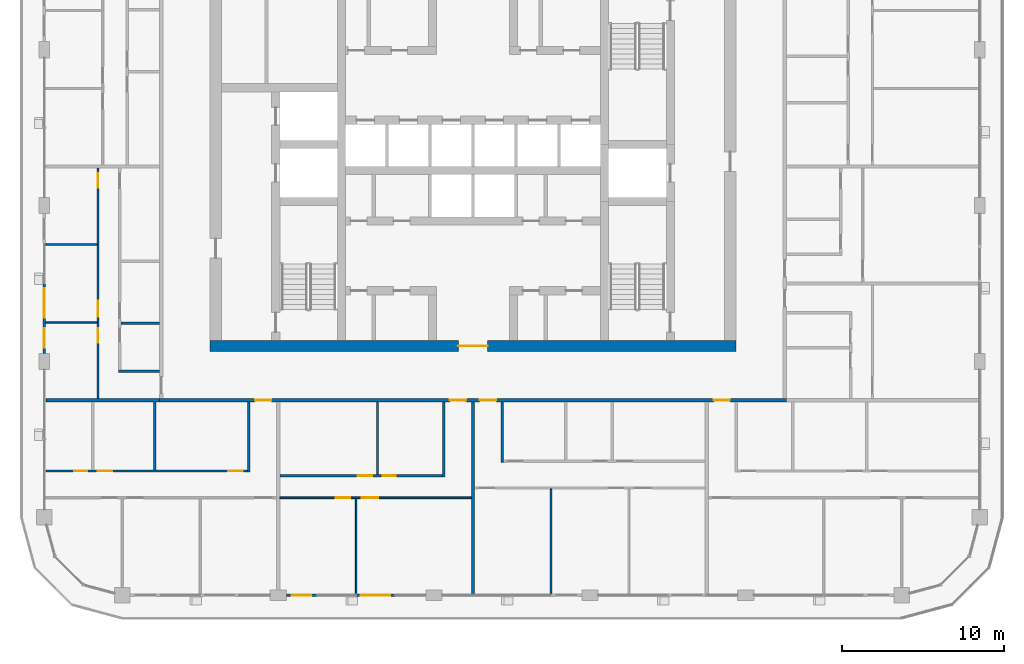
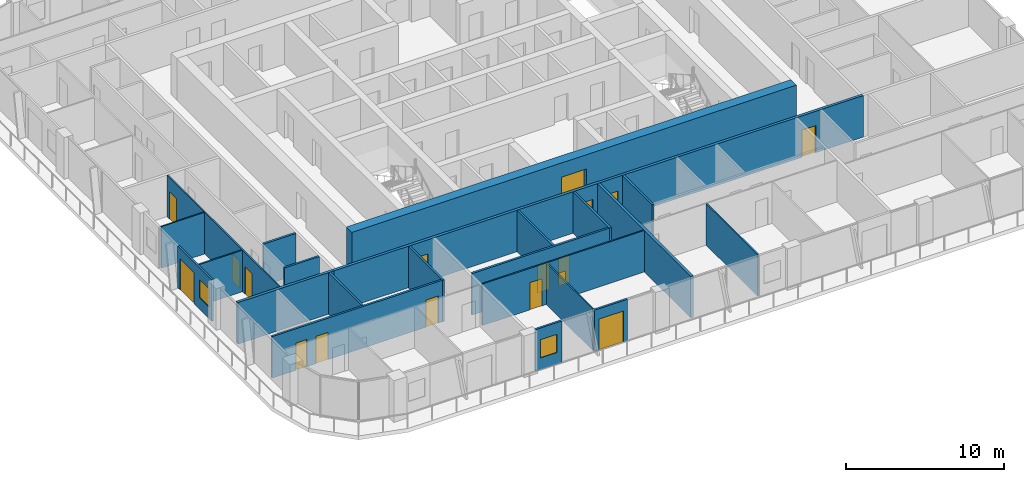
# One storey, part 9 of 22: 22 walls, 17 doors, 2 windows, 19 openings.
"""IFC4 building model written with IfcOpenShell, lengths in metres."""

from ifc_helpers import new_model, si_unit, direction, frame, frame_2d, origin, place, context, subcontext, project, spatial, rectangle, extrude, material, layer, layer_set, type_object, element, fill, save


model = new_model("IFC4")

# Units and contexts
model_context = context("Model", 3, precision=1e-05, world=origin(), true_north=direction((0.0, 1.0)))
body_context = subcontext(model_context, "Body", "Model", "MODEL_VIEW")
ifc_project = project(units=[si_unit("LENGTHUNIT", "METRE"), si_unit("AREAUNIT", "SQUARE_METRE"), si_unit("VOLUMEUNIT", "CUBIC_METRE"), si_unit("PLANEANGLEUNIT", "RADIAN"), si_unit("MASSUNIT", "GRAM", prefix="KILO")], contexts=[model_context])

# Site, building, storey
site_placement = place(None, origin())
site = spatial("IfcSite", under=ifc_project, at=site_placement, CompositionType="ELEMENT")
building_placement = place(site_placement, origin())
building = spatial("IfcBuilding", under=site, at=building_placement, Name="Madar Terraces", CompositionType="ELEMENT")
storey_placement = place(building_placement, frame((0.0, 0.0, 189.39990234375)))
storey = spatial("IfcBuildingStorey", under=building, at=storey_placement, Name="L49", CompositionType="ELEMENT", Elevation=189.39990234375)

# Wall, opening, door
ifc_material_1 = material(Name="Concrete C60/75", Category="concrete")
ifc_layer_1 = layer(ifc_material_1, 0.699951171875)
ifc_layer_set_1 = layer_set([ifc_layer_1], Name="Concrete C60/75 (CRW4 RC wall 700)")
wall_type_1 = type_object("IfcWallType", Name="CRW4 RC wall 700", PredefinedType="SHEAR", material=ifc_layer_set_1)
wall_1_placement = place(storey_placement, frame((15.0, 15.35009765625, 0.0), z_axis=(0.0, 0.0, 1.0), x_axis=(1.0, 0.0, 0.0)))
wall_1 = element("IfcWall", 1, at=wall_1_placement, inside=storey, type_object=wall_type_1, Name="CORE OUTER WALL", PredefinedType="SHEAR", context=body_context, shape_type="SweptSolid", body=[
    extrude(rectangle(XDim=32.39990234375, YDim=0.699951171875, at=frame_2d((16.199951171875, 0.0))), origin(), (0.0, 0.0, 1.0), 3.2001953125),
])
opening_1_placement = place(wall_1_placement, frame((15.300048828125, 0.0, 0.0)))
opening_1 = element("IfcOpeningElement", 2, at=opening_1_placement, cuts=wall_1, Name="Opening KD1", PredefinedType="OPENING", context=body_context, shape_type="SweptSolid", body=[
    extrude(rectangle(XDim=1.800048828125, YDim=2.10009765625, at=frame_2d((0.89990234375, 1.050048828125))), frame((0.0, 0.35986328125, 0.0), z_axis=(0.0, -1.0, 0.0), x_axis=(1.0, 0.0, 0.0)), (0.0, 0.0, 1.0), 0.719970703125),
])
ifc_material_2 = material(Name="Steel door leaf", Category="steel")
door_type_1 = type_object("IfcDoorType", Name="Lobby door pair 1800 x 2100", OperationType="DOUBLE_DOOR_SINGLE_SWING", PredefinedType="DOOR", material=ifc_material_2)
door_1_placement = place(opening_1_placement, frame((1.800048828125, 0.0, 0.0), z_axis=(0.0, 0.0, 1.0), x_axis=(-1.0, 0.0, 0.0)))
door_1 = element("IfcDoor", 3, at=door_1_placement, inside=storey, type_object=door_type_1, Name="LIFT LOBBY DOOR", OperationType="DOUBLE_DOOR_SINGLE_SWING", OverallHeight=2.10009765625, OverallWidth=1.800048828125, PredefinedType="DOOR", context=body_context, shape_type="SweptSolid", body=[
    extrude(rectangle(XDim=1.800048828125, YDim=2.10009765625, at=frame_2d((0.89990234375, 1.050048828125))), frame((0.0, 0.02490234375, 0.0), z_axis=(0.0, -1.0, 0.0), x_axis=(1.0, 0.0, 0.0)), (0.0, 0.0, 1.0), 0.050048828125),
])
fill(opening_1, door_1)

# Wall, opening, window
ifc_material_3 = material(Name="Aluminium composite panel, black, over insulated backing", Category="aluminium")
ifc_layer_2 = layer(ifc_material_3, 0.14990234375)
ifc_layer_set_2 = layer_set([ifc_layer_2], Name="Facade bay panel 150")
wall_type_2 = type_object("IfcWallType", Name="Facade bay panel 150", PredefinedType="SOLIDWALL", material=ifc_layer_set_2)
wall_2_placement = place(storey_placement, frame((19.699951171875, 0.0, 0.0), z_axis=(0.0, 0.0, 1.0), x_axis=(1.0, 0.0, 0.0)))
wall_2 = element("IfcWall", 4, at=wall_2_placement, inside=storey, type_object=wall_type_2, Name="Facade bay panel", PredefinedType="SOLIDWALL", context=body_context, shape_type="SweptSolid", body=[
    extrude(rectangle(XDim=1.900146484375, YDim=0.14990234375, at=frame_2d((0.9501953125, 0.0))), origin(), (0.0, 0.0, 1.0), 3.2001953125),
])
opening_2_placement = place(wall_2_placement, frame((0.35009765625, 0.0, 0.89990234375)))
opening_2 = element("IfcOpeningElement", 5, at=opening_2_placement, cuts=wall_2, Name="Opening W1", PredefinedType="OPENING", context=body_context, shape_type="SweptSolid", body=[
    extrude(rectangle(XDim=1.199951171875, YDim=1.39990234375, at=frame_2d((0.60009765625, 0.699951171875))), frame((0.0, 0.0849609375, 0.0), z_axis=(0.0, -1.0, 0.0), x_axis=(1.0, 0.0, 0.0)), (0.0, 0.0, 1.0), 0.169921875),
])
ifc_material_4 = material(Name="Glass, clear, with black aluminium frame", Category="aluminium")
window_type = type_object("IfcWindowType", Name="Vent window 1200 x 1400", PartitioningType="SINGLE_PANEL", PredefinedType="WINDOW", material=ifc_material_4)
window_1_placement = place(opening_2_placement, origin())
window_1 = element("IfcWindow", 6, at=window_1_placement, inside=storey, type_object=window_type, Name="Operable vent window", OverallHeight=1.39990234375, OverallWidth=1.199951171875, PartitioningType="SINGLE_PANEL", PredefinedType="WINDOW", context=body_context, shape_type="SweptSolid", body=[
    extrude(rectangle(XDim=1.199951171875, YDim=1.39990234375, at=frame_2d((0.60009765625, 0.699951171875))), frame((0.0, 0.030029296875, 0.0), z_axis=(0.0, -1.0, 0.0), x_axis=(1.0, 0.0, 0.0)), (0.0, 0.0, 1.0), 0.06005859375),
])
fill(opening_2, window_1)

# Wall, opening, door
wall_3_placement = place(storey_placement, frame((24.0, 0.0, 0.0), z_axis=(0.0, 0.0, 1.0), x_axis=(1.0, 0.0, 0.0)))
wall_3 = element("IfcWall", 7, at=wall_3_placement, inside=storey, type_object=wall_type_2, Name="Facade bay panel", PredefinedType="SOLIDWALL", context=body_context, shape_type="SweptSolid", body=[
    extrude(rectangle(XDim=2.39990234375, YDim=0.14990234375, at=frame_2d((1.199951171875, 0.0))), origin(), (0.0, 0.0, 1.0), 3.2001953125),
])
opening_3_placement = place(wall_3_placement, frame((0.300048828125, 0.0, 0.0)))
opening_3 = element("IfcOpeningElement", 8, at=opening_3_placement, cuts=wall_3, Name="Opening ED1", PredefinedType="OPENING", context=body_context, shape_type="SweptSolid", body=[
    extrude(rectangle(XDim=1.800048828125, YDim=2.39990234375, at=frame_2d((0.89990234375, 1.199951171875))), frame((0.0, 0.0849609375, 0.0), z_axis=(0.0, -1.0, 0.0), x_axis=(1.0, 0.0, 0.0)), (0.0, 0.0, 1.0), 0.169921875),
])
ifc_material_5 = material(Name="Glass, clear, with black aluminium frame", Category="aluminium")
door_type_2 = type_object("IfcDoorType", Name="Balcony and terrace sliding door 1800 x 2400", OperationType="SLIDING_TO_LEFT", PredefinedType="DOOR", material=ifc_material_5)
door_2_placement = place(opening_3_placement, origin())
door_2 = element("IfcDoor", 9, at=door_2_placement, inside=storey, type_object=door_type_2, Name="Balcony door", OperationType="SLIDING_TO_RIGHT", OverallHeight=2.39990234375, OverallWidth=1.800048828125, PredefinedType="DOOR", context=body_context, shape_type="SweptSolid", body=[
    extrude(rectangle(XDim=1.800048828125, YDim=2.39990234375, at=frame_2d((0.89990234375, 1.199951171875))), frame((0.0, 0.02490234375, 0.0), z_axis=(0.0, -1.0, 0.0), x_axis=(1.0, 0.0, 0.0)), (0.0, 0.0, 1.0), 0.050048828125),
])
fill(opening_3, door_2)

# Wall, openings, door, window
wall_4_placement = place(storey_placement, frame((4.800048828125, 19.199951171875, 0.0), z_axis=(0.0, 0.0, 1.0), x_axis=(0.0, -1.0, 0.0)))
wall_4 = element("IfcWall", 10, at=wall_4_placement, inside=storey, type_object=wall_type_2, Name="Facade bay panel", PredefinedType="SOLIDWALL", context=body_context, shape_type="SweptSolid", body=[
    extrude(rectangle(XDim=4.300048828125, YDim=0.14990234375, at=frame_2d((2.14990234375, 0.0))), origin(), (0.0, 0.0, 1.0), 3.2001953125),
])
opening_4_placement = place(wall_4_placement, frame((0.300048828125, 0.0, 0.0)))
opening_4 = element("IfcOpeningElement", 11, at=opening_4_placement, cuts=wall_4, Name="Opening ED1", PredefinedType="OPENING", context=body_context, shape_type="SweptSolid", body=[
    extrude(rectangle(XDim=1.800048828125, YDim=2.39990234375, at=frame_2d((0.89990234375, 1.199951171875))), frame((0.0, 0.0849609375, 0.0), z_axis=(0.0, -1.0, 0.0), x_axis=(1.0, 0.0, 0.0)), (0.0, 0.0, 1.0), 0.169921875),
])
opening_5_placement = place(wall_4_placement, frame((2.75, 0.0, 0.89990234375)))
opening_5 = element("IfcOpeningElement", 12, at=opening_5_placement, cuts=wall_4, Name="Opening W1", PredefinedType="OPENING", context=body_context, shape_type="SweptSolid", body=[
    extrude(rectangle(XDim=1.199951171875, YDim=1.39990234375, at=frame_2d((0.60009765625, 0.699951171875))), frame((0.0, 0.0849609375, 0.0), z_axis=(0.0, -1.0, 0.0), x_axis=(1.0, 0.0, 0.0)), (0.0, 0.0, 1.0), 0.169921875),
])
door_3_placement = place(opening_4_placement, origin())
door_3 = element("IfcDoor", 13, at=door_3_placement, inside=storey, type_object=door_type_2, Name="Balcony door", OperationType="SLIDING_TO_LEFT", OverallHeight=2.39990234375, OverallWidth=1.800048828125, PredefinedType="DOOR", context=body_context, shape_type="SweptSolid", body=[
    extrude(rectangle(XDim=1.800048828125, YDim=2.39990234375, at=frame_2d((0.89990234375, 1.199951171875))), frame((0.0, 0.02490234375, 0.0), z_axis=(0.0, -1.0, 0.0), x_axis=(1.0, 0.0, 0.0)), (0.0, 0.0, 1.0), 0.050048828125),
])
fill(opening_4, door_3)
window_2_placement = place(opening_5_placement, origin())
window_2 = element("IfcWindow", 14, at=window_2_placement, inside=storey, type_object=window_type, Name="Operable vent window", OverallHeight=1.39990234375, OverallWidth=1.199951171875, PartitioningType="SINGLE_PANEL", PredefinedType="WINDOW", context=body_context, shape_type="SweptSolid", body=[
    extrude(rectangle(XDim=1.199951171875, YDim=1.39990234375, at=frame_2d((0.60009765625, 0.699951171875))), frame((0.0, 0.030029296875, 0.0), z_axis=(0.0, -1.0, 0.0), x_axis=(1.0, 0.0, 0.0)), (0.0, 0.0, 1.0), 0.06005859375),
])
fill(opening_5, window_2)

# Wall
ifc_material_6 = material(Name="Gypsum board on steel studs", Category="steel")
ifc_layer_3 = layer(ifc_material_6, 0.10009765625)
ifc_layer_set_3 = layer_set([ifc_layer_3], Name="Flat partition 100")
wall_type_3 = type_object("IfcWallType", Name="Flat partition 100", PredefinedType="PARTITIONING", material=ifc_layer_set_3)
wall_5_placement = place(storey_placement, frame((24.0, 5.949951171875, 0.0), z_axis=(0.0, 0.0, 1.0), x_axis=(0.0, -1.0, 0.0)))
element("IfcWall", 15, at=wall_5_placement, inside=storey, type_object=wall_type_3, Name="Flat partition 100", PredefinedType="PARTITIONING", context=body_context, shape_type="SweptSolid", body=[
    extrude(rectangle(XDim=5.849853515625, YDim=0.10009765625, at=frame_2d((2.9248046875, 0.0))), origin(), (0.0, 0.0, 1.0), 3.2001953125),
])

# Wall, openings, doors
wall_6_placement = place(storey_placement, frame((31.10009765625, 6.0, 0.0), z_axis=(0.0, 0.0, 1.0), x_axis=(-1.0, 0.0, 0.0)))
wall_6 = element("IfcWall", 16, at=wall_6_placement, inside=storey, type_object=wall_type_3, Name="Flat partition 100", PredefinedType="PARTITIONING", context=body_context, shape_type="SweptSolid", body=[
    extrude(rectangle(XDim=11.800048828125, YDim=0.10009765625, at=frame_2d((5.89990234375, 0.0))), origin(), (0.0, 0.0, 1.0), 3.2001953125),
])
opening_6_placement = place(wall_6_placement, frame((5.75, 0.0, 0.0)))
opening_6 = element("IfcOpeningElement", 17, at=opening_6_placement, cuts=wall_6, Name="Opening D3", PredefinedType="OPENING", context=body_context, shape_type="SweptSolid", body=[
    extrude(rectangle(XDim=1.0, YDim=2.10009765625, at=frame_2d((0.5, 1.050048828125))), frame((0.0, 0.06005859375, 0.0), z_axis=(0.0, -1.0, 0.0), x_axis=(1.0, 0.0, 0.0)), (0.0, 0.0, 1.0), 0.1201171875),
])
opening_7_placement = place(wall_6_placement, frame((7.449951171875, 0.0, 0.0)))
opening_7 = element("IfcOpeningElement", 18, at=opening_7_placement, cuts=wall_6, Name="Opening D2", PredefinedType="OPENING", context=body_context, shape_type="SweptSolid", body=[
    extrude(rectangle(XDim=0.89990234375, YDim=2.10009765625, at=frame_2d((0.449951171875, 1.050048828125))), frame((0.0, 0.06005859375, 0.0), z_axis=(0.0, -1.0, 0.0), x_axis=(1.0, 0.0, 0.0)), (0.0, 0.0, 1.0), 0.1201171875),
])
ifc_material_7 = material(Name="Timber door leaf", Category="wood")
door_type_3 = type_object("IfcDoorType", Name="Flat living room door 1000", OperationType="NOTDEFINED", PredefinedType="DOOR", material=ifc_material_7)
door_4_placement = place(opening_6_placement, origin())
door_4 = element("IfcDoor", 19, at=door_4_placement, inside=storey, type_object=door_type_3, Name="Flat living room door 1000", OperationType="SINGLE_SWING_RIGHT", OverallHeight=2.10009765625, OverallWidth=1.0, PredefinedType="DOOR", context=body_context, shape_type="SweptSolid", body=[
    extrude(rectangle(XDim=1.0, YDim=2.10009765625, at=frame_2d((0.5, 1.050048828125))), frame((0.0, 0.02490234375, 0.0), z_axis=(0.0, -1.0, 0.0), x_axis=(1.0, 0.0, 0.0)), (0.0, 0.0, 1.0), 0.050048828125),
])
fill(opening_6, door_4)
ifc_material_8 = material(Name="Timber door leaf", Category="wood")
door_type_4 = type_object("IfcDoorType", Name="Flat room door 900", OperationType="NOTDEFINED", PredefinedType="DOOR", material=ifc_material_8)
door_5_placement = place(opening_7_placement, origin())
door_5 = element("IfcDoor", 20, at=door_5_placement, inside=storey, type_object=door_type_4, Name="Flat room door 900", OperationType="SINGLE_SWING_LEFT", OverallHeight=2.10009765625, OverallWidth=0.89990234375, PredefinedType="DOOR", context=body_context, shape_type="SweptSolid", body=[
    extrude(rectangle(XDim=0.89990234375, YDim=2.10009765625, at=frame_2d((0.449951171875, 1.050048828125))), frame((0.0, 0.02490234375, 0.0), z_axis=(0.0, -1.0, 0.0), x_axis=(1.0, 0.0, 0.0)), (0.0, 0.0, 1.0), 0.050048828125),
])
fill(opening_7, door_5)

# Walls
wall_7_placement = place(storey_placement, frame((36.0, 6.550048828125, 0.0), z_axis=(0.0, 0.0, 1.0), x_axis=(0.0, -1.0, 0.0)))
element("IfcWall", 21, at=wall_7_placement, inside=storey, type_object=wall_type_3, Name="Flat partition 100", PredefinedType="PARTITIONING", context=body_context, shape_type="SweptSolid", body=[
    extrude(rectangle(XDim=6.449951171875, YDim=0.10009765625, at=frame_2d((3.22509765625, 0.0))), origin(), (0.0, 0.0, 1.0), 3.2001953125),
])
for number, where, z_axis, x_axis, name in (
    (22, (8.050048828125, 16.800048828125, 0.0), (0.0, 0.0, 1.0), (-1.0, 0.0, 0.0), "Flat partition 100"),
    (23, (8.050048828125, 21.60009765625, 0.0), (0.0, 0.0, 1.0), (-1.0, 0.0, 0.0), "Flat partition 100"),
):
    element("IfcWall", number, at=place(storey_placement, frame(where, z_axis=z_axis, x_axis=x_axis)), inside=storey, type_object=wall_type_3, Name=name, PredefinedType="PARTITIONING", context=body_context, shape_type="SweptSolid", body=[
        extrude(rectangle(XDim=3.150146484375, YDim=0.10009765625, at=frame_2d((1.5751953125, 0.0))), origin(), (0.0, 0.0, 1.0), 3.2001953125),
    ])

# Wall, openings, doors
wall_8_placement = place(storey_placement, frame((8.10009765625, 12.10009765625, 0.0), z_axis=(0.0, 0.0, 1.0), x_axis=(0.0, 1.0, 0.0)))
wall_8 = element("IfcWall", 24, at=wall_8_placement, inside=storey, type_object=wall_type_3, Name="Flat partition 100", PredefinedType="PARTITIONING", context=body_context, shape_type="SweptSolid", body=[
    extrude(rectangle(XDim=14.199951171875, YDim=0.10009765625, at=frame_2d((7.10009765625, 0.0))), origin(), (0.0, 0.0, 1.0), 3.2001953125),
])
opening_8_placement = place(wall_8_placement, frame((3.449951171875, 0.0, 0.0)))
opening_8 = element("IfcOpeningElement", 25, at=opening_8_placement, cuts=wall_8, Name="Opening D2", PredefinedType="OPENING", context=body_context, shape_type="SweptSolid", body=[
    extrude(rectangle(XDim=0.89990234375, YDim=2.10009765625, at=frame_2d((0.449951171875, 1.050048828125))), frame((0.0, 0.06005859375, 0.0), z_axis=(0.0, -1.0, 0.0), x_axis=(1.0, 0.0, 0.0)), (0.0, 0.0, 1.0), 0.1201171875),
])
opening_9_placement = place(wall_8_placement, frame((5.050048828125, 0.0, 0.0)))
opening_9 = element("IfcOpeningElement", 26, at=opening_9_placement, cuts=wall_8, Name="Opening D3", PredefinedType="OPENING", context=body_context, shape_type="SweptSolid", body=[
    extrude(rectangle(XDim=1.0, YDim=2.10009765625, at=frame_2d((0.5, 1.050048828125))), frame((0.0, 0.06005859375, 0.0), z_axis=(0.0, -1.0, 0.0), x_axis=(1.0, 0.0, 0.0)), (0.0, 0.0, 1.0), 0.1201171875),
])
opening_10_placement = place(wall_8_placement, frame((13.0, 0.0, 0.0)))
opening_10 = element("IfcOpeningElement", 27, at=opening_10_placement, cuts=wall_8, Name="Opening D2", PredefinedType="OPENING", context=body_context, shape_type="SweptSolid", body=[
    extrude(rectangle(XDim=0.89990234375, YDim=2.10009765625, at=frame_2d((0.449951171875, 1.050048828125))), frame((0.0, 0.06005859375, 0.0), z_axis=(0.0, -1.0, 0.0), x_axis=(1.0, 0.0, 0.0)), (0.0, 0.0, 1.0), 0.1201171875),
])
door_6_placement = place(opening_9_placement, origin())
door_6 = element("IfcDoor", 28, at=door_6_placement, inside=storey, type_object=door_type_3, Name="Flat living room door 1000", OperationType="SINGLE_SWING_LEFT", OverallHeight=2.10009765625, OverallWidth=1.0, PredefinedType="DOOR", context=body_context, shape_type="SweptSolid", body=[
    extrude(rectangle(XDim=1.0, YDim=2.10009765625, at=frame_2d((0.5, 1.050048828125))), frame((0.0, 0.02490234375, 0.0), z_axis=(0.0, -1.0, 0.0), x_axis=(1.0, 0.0, 0.0)), (0.0, 0.0, 1.0), 0.050048828125),
])
fill(opening_9, door_6)
door_7_placement = place(opening_8_placement, origin())
door_7 = element("IfcDoor", 29, at=door_7_placement, inside=storey, type_object=door_type_4, Name="Flat room door 900", OperationType="SINGLE_SWING_RIGHT", OverallHeight=2.10009765625, OverallWidth=0.89990234375, PredefinedType="DOOR", context=body_context, shape_type="SweptSolid", body=[
    extrude(rectangle(XDim=0.89990234375, YDim=2.10009765625, at=frame_2d((0.449951171875, 1.050048828125))), frame((0.0, 0.02490234375, 0.0), z_axis=(0.0, -1.0, 0.0), x_axis=(1.0, 0.0, 0.0)), (0.0, 0.0, 1.0), 0.050048828125),
])
fill(opening_8, door_7)
door_8_placement = place(opening_10_placement, origin())
door_8 = element("IfcDoor", 30, at=door_8_placement, inside=storey, type_object=door_type_4, Name="Flat room door 900", OperationType="SINGLE_SWING_RIGHT", OverallHeight=2.10009765625, OverallWidth=0.89990234375, PredefinedType="DOOR", context=body_context, shape_type="SweptSolid", body=[
    extrude(rectangle(XDim=0.89990234375, YDim=2.10009765625, at=frame_2d((0.449951171875, 1.050048828125))), frame((0.0, 0.02490234375, 0.0), z_axis=(0.0, -1.0, 0.0), x_axis=(1.0, 0.0, 0.0)), (0.0, 0.0, 1.0), 0.050048828125),
])
fill(opening_10, door_8)

ifc_material_9 = material(Name="Lightweight blockwork", Category="masonry")
ifc_layer_4 = layer(ifc_material_9, 0.199951171875)
ifc_layer_set_4 = layer_set([ifc_layer_4], Name="Flat party and entrance wall 200")
wall_type_4 = type_object("IfcWallType", Name="Flat party and entrance wall 200", PredefinedType="PARTITIONING", material=ifc_layer_set_4)
wall_9_placement = place(storey_placement, frame((50.5, 12.0, 0.0), z_axis=(0.0, 0.0, 1.0), x_axis=(-1.0, 0.0, 0.0)))
wall_9 = element("IfcWall", 31, at=wall_9_placement, inside=storey, type_object=wall_type_4, Name="Flat party and entrance wall 200", PredefinedType="PARTITIONING", context=body_context, shape_type="SweptSolid", body=[
    extrude(rectangle(XDim=38.60009765625, YDim=0.199951171875, at=frame_2d((19.300048828125, 0.0))), origin(), (0.0, 0.0, 1.0), 3.2001953125),
])
opening_11_placement = place(wall_9_placement, frame((31.72509765625, 0.0, 0.0)))
opening_11 = element("IfcOpeningElement", 32, at=opening_11_placement, cuts=wall_9, Name="Opening D1", PredefinedType="OPENING", context=body_context, shape_type="SweptSolid", body=[
    extrude(rectangle(XDim=1.0, YDim=2.10009765625, at=frame_2d((0.5, 1.050048828125))), frame((0.0, 0.10986328125, 0.0), z_axis=(0.0, -1.0, 0.0), x_axis=(1.0, 0.0, 0.0)), (0.0, 0.0, 1.0), 0.219970703125),
])
opening_12_placement = place(wall_9_placement, frame((19.72509765625, 0.0, 0.0)))
opening_12 = element("IfcOpeningElement", 33, at=opening_12_placement, cuts=wall_9, Name="Opening D1", PredefinedType="OPENING", context=body_context, shape_type="SweptSolid", body=[
    extrude(rectangle(XDim=1.0, YDim=2.10009765625, at=frame_2d((0.5, 1.050048828125))), frame((0.0, 0.10986328125, 0.0), z_axis=(0.0, -1.0, 0.0), x_axis=(1.0, 0.0, 0.0)), (0.0, 0.0, 1.0), 0.219970703125),
])
opening_13_placement = place(wall_9_placement, frame((17.875, 0.0, 0.0)))
opening_13 = element("IfcOpeningElement", 34, at=opening_13_placement, cuts=wall_9, Name="Opening D1", PredefinedType="OPENING", context=body_context, shape_type="SweptSolid", body=[
    extrude(rectangle(XDim=1.0, YDim=2.10009765625, at=frame_2d((0.5, 1.050048828125))), frame((0.0, 0.10986328125, 0.0), z_axis=(0.0, -1.0, 0.0), x_axis=(1.0, 0.0, 0.0)), (0.0, 0.0, 1.0), 0.219970703125),
])
opening_14_placement = place(wall_9_placement, frame((3.47509765625, 0.0, 0.0)))
opening_14 = element("IfcOpeningElement", 35, at=opening_14_placement, cuts=wall_9, Name="Opening D1", PredefinedType="OPENING", context=body_context, shape_type="SweptSolid", body=[
    extrude(rectangle(XDim=1.0, YDim=2.10009765625, at=frame_2d((0.5, 1.050048828125))), frame((0.0, 0.10986328125, 0.0), z_axis=(0.0, -1.0, 0.0), x_axis=(1.0, 0.0, 0.0)), (0.0, 0.0, 1.0), 0.219970703125),
])
ifc_material_10 = material(Name="Timber fire door leaf", Category="wood")
door_type_5 = type_object("IfcDoorType", Name="Flat entrance door 1000 FD30S", OperationType="NOTDEFINED", PredefinedType="DOOR", material=ifc_material_10)
door_9_placement = place(opening_11_placement, origin())
door_9 = element("IfcDoor", 36, at=door_9_placement, inside=storey, type_object=door_type_5, Name="Flat entrance door 1000 FD30S", OperationType="SINGLE_SWING_LEFT", OverallHeight=2.10009765625, OverallWidth=1.0, PredefinedType="DOOR", context=body_context, shape_type="SweptSolid", body=[
    extrude(rectangle(XDim=1.0, YDim=2.10009765625, at=frame_2d((0.5, 1.050048828125))), frame((0.0, 0.02490234375, 0.0), z_axis=(0.0, -1.0, 0.0), x_axis=(1.0, 0.0, 0.0)), (0.0, 0.0, 1.0), 0.050048828125),
])
fill(opening_11, door_9)
door_10_placement = place(opening_12_placement, origin())
door_10 = element("IfcDoor", 37, at=door_10_placement, inside=storey, type_object=door_type_5, Name="Flat entrance door 1000 FD30S", OperationType="SINGLE_SWING_LEFT", OverallHeight=2.10009765625, OverallWidth=1.0, PredefinedType="DOOR", context=body_context, shape_type="SweptSolid", body=[
    extrude(rectangle(XDim=1.0, YDim=2.10009765625, at=frame_2d((0.5, 1.050048828125))), frame((0.0, 0.02490234375, 0.0), z_axis=(0.0, -1.0, 0.0), x_axis=(1.0, 0.0, 0.0)), (0.0, 0.0, 1.0), 0.050048828125),
])
fill(opening_12, door_10)
door_11_placement = place(opening_13_placement, origin())
door_11 = element("IfcDoor", 38, at=door_11_placement, inside=storey, type_object=door_type_5, Name="Flat entrance door 1000 FD30S", OperationType="SINGLE_SWING_RIGHT", OverallHeight=2.10009765625, OverallWidth=1.0, PredefinedType="DOOR", context=body_context, shape_type="SweptSolid", body=[
    extrude(rectangle(XDim=1.0, YDim=2.10009765625, at=frame_2d((0.5, 1.050048828125))), frame((0.0, 0.02490234375, 0.0), z_axis=(0.0, -1.0, 0.0), x_axis=(1.0, 0.0, 0.0)), (0.0, 0.0, 1.0), 0.050048828125),
])
fill(opening_13, door_11)
door_12_placement = place(opening_14_placement, origin())
door_12 = element("IfcDoor", 39, at=door_12_placement, inside=storey, type_object=door_type_5, Name="Flat entrance door 1000 FD30S", OperationType="SINGLE_SWING_RIGHT", OverallHeight=2.10009765625, OverallWidth=1.0, PredefinedType="DOOR", context=body_context, shape_type="SweptSolid", body=[
    extrude(rectangle(XDim=1.0, YDim=2.10009765625, at=frame_2d((0.5, 1.050048828125))), frame((0.0, 0.02490234375, 0.0), z_axis=(0.0, -1.0, 0.0), x_axis=(1.0, 0.0, 0.0)), (0.0, 0.0, 1.0), 0.050048828125),
])
fill(opening_14, door_12)

# Walls
wall_10_placement = place(storey_placement, frame((4.89990234375, 12.0, 0.0), z_axis=(0.0, 0.0, 1.0), x_axis=(1.0, 0.0, 0.0)))
element("IfcWall", 40, at=wall_10_placement, inside=storey, type_object=wall_type_4, Name="Flat party and entrance wall 200", PredefinedType="PARTITIONING", context=body_context, shape_type="SweptSolid", body=[
    extrude(rectangle(XDim=7.0, YDim=0.199951171875, at=frame_2d((3.5, 0.0))), origin(), (0.0, 0.0, 1.0), 3.2001953125),
])
wall_11_placement = place(storey_placement, frame((31.199951171875, 11.89990234375, 0.0), z_axis=(0.0, 0.0, 1.0), x_axis=(0.0, -1.0, 0.0)))
element("IfcWall", 41, at=wall_11_placement, inside=storey, type_object=wall_type_4, Name="Flat party and entrance wall 200", PredefinedType="PARTITIONING", context=body_context, shape_type="SweptSolid", body=[
    extrude(rectangle(XDim=11.7998046875, YDim=0.199951171875, at=frame_2d((5.89990234375, 0.0))), origin(), (0.0, 0.0, 1.0), 3.2001953125),
])
ifc_material_11 = material(Name="Lightweight blockwork", Category="masonry")
ifc_layer_5 = layer(ifc_material_11, 0.14990234375)
ifc_layer_set_5 = layer_set([ifc_layer_5], Name="Flat wet-room partition 150")
wall_type_5 = type_object("IfcWallType", Name="Flat wet-room partition 150", PredefinedType="PARTITIONING", material=ifc_layer_set_5)
wall_12_placement = place(storey_placement, frame((11.59033203125, 11.89990234375, 0.0), z_axis=(0.0, 0.0, 1.0), x_axis=(0.0, -1.0, 0.0)))
element("IfcWall", 42, at=wall_12_placement, inside=storey, type_object=wall_type_5, Name="Flat wet-room partition 150", PredefinedType="PARTITIONING", context=body_context, shape_type="SweptSolid", body=[
    extrude(rectangle(XDim=4.1748046875, YDim=0.14990234375, at=frame_2d((2.08740234375, 0.0))), origin(), (0.0, 0.0, 1.0), 3.2001953125),
])
wall_13_placement = place(storey_placement, frame((17.39990234375, 11.89990234375, 0.0), z_axis=(0.0, 0.0, 1.0), x_axis=(0.0, -1.0, 0.0)))
element("IfcWall", 43, at=wall_13_placement, inside=storey, type_object=wall_type_5, Name="Flat wet-room partition 150", PredefinedType="PARTITIONING", context=body_context, shape_type="SweptSolid", body=[
    extrude(rectangle(XDim=4.324951171875, YDim=0.14990234375, at=frame_2d((2.16259765625, 0.0))), origin(), (0.0, 0.0, 1.0), 3.2001953125),
])

# Wall, openings, doors
wall_14_placement = place(storey_placement, frame((4.89990234375, 7.64990234375, 0.0), z_axis=(0.0, 0.0, 1.0), x_axis=(1.0, 0.0, 0.0)))
wall_14 = element("IfcWall", 44, at=wall_14_placement, inside=storey, type_object=wall_type_5, Name="Flat wet-room partition 150", PredefinedType="PARTITIONING", context=body_context, shape_type="SweptSolid", body=[
    extrude(rectangle(XDim=12.425048828125, YDim=0.14990234375, at=frame_2d((6.21240234375, 0.0))), origin(), (0.0, 0.0, 1.0), 3.2001953125),
])
opening_15_placement = place(wall_14_placement, frame((11.22509765625, 0.0, 0.0)))
opening_15 = element("IfcOpeningElement", 45, at=opening_15_placement, cuts=wall_14, Name="Opening D2", PredefinedType="OPENING", context=body_context, shape_type="SweptSolid", body=[
    extrude(rectangle(XDim=0.89990234375, YDim=2.10009765625, at=frame_2d((0.449951171875, 1.050048828125))), frame((0.0, 0.0849609375, 0.0), z_axis=(0.0, -1.0, 0.0), x_axis=(1.0, 0.0, 0.0)), (0.0, 0.0, 1.0), 0.169921875),
])
opening_16_placement = place(wall_14_placement, frame((3.1923828125, 0.0, 0.0)))
opening_16 = element("IfcOpeningElement", 46, at=opening_16_placement, cuts=wall_14, Name="Opening D5", PredefinedType="OPENING", context=body_context, shape_type="SweptSolid", body=[
    extrude(rectangle(XDim=0.89990234375, YDim=2.10009765625, at=frame_2d((0.449951171875, 1.050048828125))), frame((0.0, 0.0849609375, 0.0), z_axis=(0.0, -1.0, 0.0), x_axis=(1.0, 0.0, 0.0)), (0.0, 0.0, 1.0), 0.169921875),
])
opening_17_placement = place(wall_14_placement, frame((1.7421875, 0.0, 0.0)))
opening_17 = element("IfcOpeningElement", 47, at=opening_17_placement, cuts=wall_14, Name="Opening D4", PredefinedType="OPENING", context=body_context, shape_type="SweptSolid", body=[
    extrude(rectangle(XDim=0.800048828125, YDim=2.10009765625, at=frame_2d((0.39990234375, 1.050048828125))), frame((0.0, 0.0849609375, 0.0), z_axis=(0.0, -1.0, 0.0), x_axis=(1.0, 0.0, 0.0)), (0.0, 0.0, 1.0), 0.169921875),
])
ifc_material_12 = material(Name="Timber door leaf", Category="wood")
door_type_6 = type_object("IfcDoorType", Name="Flat accessible bathroom door 900", OperationType="NOTDEFINED", PredefinedType="DOOR", material=ifc_material_12)
door_13_placement = place(opening_16_placement, origin())
door_13 = element("IfcDoor", 48, at=door_13_placement, inside=storey, type_object=door_type_6, Name="Flat accessible bathroom door 900", OperationType="SINGLE_SWING_LEFT", OverallHeight=2.10009765625, OverallWidth=0.89990234375, PredefinedType="DOOR", context=body_context, shape_type="SweptSolid", body=[
    extrude(rectangle(XDim=0.89990234375, YDim=2.10009765625, at=frame_2d((0.449951171875, 1.050048828125))), frame((0.0, 0.02490234375, 0.0), z_axis=(0.0, -1.0, 0.0), x_axis=(1.0, 0.0, 0.0)), (0.0, 0.0, 1.0), 0.050048828125),
])
fill(opening_16, door_13)
ifc_material_13 = material(Name="Timber door leaf", Category="wood")
door_type_7 = type_object("IfcDoorType", Name="Flat bathroom door 800", OperationType="NOTDEFINED", PredefinedType="DOOR", material=ifc_material_13)
door_14_placement = place(opening_17_placement, origin())
door_14 = element("IfcDoor", 49, at=door_14_placement, inside=storey, type_object=door_type_7, Name="Flat bathroom door 800", OperationType="SINGLE_SWING_RIGHT", OverallHeight=2.10009765625, OverallWidth=0.800048828125, PredefinedType="DOOR", context=body_context, shape_type="SweptSolid", body=[
    extrude(rectangle(XDim=0.800048828125, YDim=2.10009765625, at=frame_2d((0.39990234375, 1.050048828125))), frame((0.0, 0.02490234375, 0.0), z_axis=(0.0, -1.0, 0.0), x_axis=(1.0, 0.0, 0.0)), (0.0, 0.0, 1.0), 0.050048828125),
])
fill(opening_17, door_14)
door_15_placement = place(opening_15_placement, origin())
door_15 = element("IfcDoor", 50, at=door_15_placement, inside=storey, type_object=door_type_4, Name="Flat room door 900", OperationType="SINGLE_SWING_RIGHT", OverallHeight=2.10009765625, OverallWidth=0.89990234375, PredefinedType="DOOR", context=body_context, shape_type="SweptSolid", body=[
    extrude(rectangle(XDim=0.89990234375, YDim=2.10009765625, at=frame_2d((0.449951171875, 1.050048828125))), frame((0.0, 0.02490234375, 0.0), z_axis=(0.0, -1.0, 0.0), x_axis=(1.0, 0.0, 0.0)), (0.0, 0.0, 1.0), 0.050048828125),
])
fill(opening_15, door_15)

# Walls
wall_15_placement = place(storey_placement, frame((25.31494140625, 11.89990234375, 0.0), z_axis=(0.0, 0.0, 1.0), x_axis=(0.0, -1.0, 0.0)))
element("IfcWall", 51, at=wall_15_placement, inside=storey, type_object=wall_type_5, Name="Flat wet-room partition 150", PredefinedType="PARTITIONING", context=body_context, shape_type="SweptSolid", body=[
    extrude(rectangle(XDim=4.474853515625, YDim=0.14990234375, at=frame_2d((2.2373046875, 0.0))), origin(), (0.0, 0.0, 1.0), 3.2001953125),
])
wall_16_placement = place(storey_placement, frame((29.39990234375, 11.89990234375, 0.0), z_axis=(0.0, 0.0, 1.0), x_axis=(0.0, -1.0, 0.0)))
element("IfcWall", 52, at=wall_16_placement, inside=storey, type_object=wall_type_5, Name="Flat wet-room partition 150", PredefinedType="PARTITIONING", context=body_context, shape_type="SweptSolid", body=[
    extrude(rectangle(XDim=4.625, YDim=0.14990234375, at=frame_2d((2.3125, 0.0))), origin(), (0.0, 0.0, 1.0), 3.2001953125),
])

# Wall, openings, doors
wall_17_placement = place(storey_placement, frame((19.300048828125, 7.35009765625, 0.0), z_axis=(0.0, 0.0, 1.0), x_axis=(1.0, 0.0, 0.0)))
wall_17 = element("IfcWall", 53, at=wall_17_placement, inside=storey, type_object=wall_type_5, Name="Flat wet-room partition 150", PredefinedType="PARTITIONING", context=body_context, shape_type="SweptSolid", body=[
    extrude(rectangle(XDim=10.02490234375, YDim=0.14990234375, at=frame_2d((5.012451171875, 0.0))), origin(), (0.0, 0.0, 1.0), 3.2001953125),
])
opening_18_placement = place(wall_17_placement, frame((6.340087890625, 0.0, 0.0)))
opening_18 = element("IfcOpeningElement", 54, at=opening_18_placement, cuts=wall_17, Name="Opening D4", PredefinedType="OPENING", context=body_context, shape_type="SweptSolid", body=[
    extrude(rectangle(XDim=0.800048828125, YDim=2.10009765625, at=frame_2d((0.39990234375, 1.050048828125))), frame((0.0, 0.0849609375, 0.0), z_axis=(0.0, -1.0, 0.0), x_axis=(1.0, 0.0, 0.0)), (0.0, 0.0, 1.0), 0.169921875),
])
opening_19_placement = place(wall_17_placement, frame((4.7900390625, 0.0, 0.0)))
opening_19 = element("IfcOpeningElement", 55, at=opening_19_placement, cuts=wall_17, Name="Opening D2", PredefinedType="OPENING", context=body_context, shape_type="SweptSolid", body=[
    extrude(rectangle(XDim=0.89990234375, YDim=2.10009765625, at=frame_2d((0.449951171875, 1.050048828125))), frame((0.0, 0.0849609375, 0.0), z_axis=(0.0, -1.0, 0.0), x_axis=(1.0, 0.0, 0.0)), (0.0, 0.0, 1.0), 0.169921875),
])
door_16_placement = place(opening_18_placement, origin())
door_16 = element("IfcDoor", 56, at=door_16_placement, inside=storey, type_object=door_type_7, Name="Flat bathroom door 800", OperationType="SINGLE_SWING_LEFT", OverallHeight=2.10009765625, OverallWidth=0.800048828125, PredefinedType="DOOR", context=body_context, shape_type="SweptSolid", body=[
    extrude(rectangle(XDim=0.800048828125, YDim=2.10009765625, at=frame_2d((0.39990234375, 1.050048828125))), frame((0.0, 0.02490234375, 0.0), z_axis=(0.0, -1.0, 0.0), x_axis=(1.0, 0.0, 0.0)), (0.0, 0.0, 1.0), 0.050048828125),
])
fill(opening_18, door_16)
door_17_placement = place(opening_19_placement, origin())
door_17 = element("IfcDoor", 57, at=door_17_placement, inside=storey, type_object=door_type_4, Name="Flat room door 900", OperationType="SINGLE_SWING_RIGHT", OverallHeight=2.10009765625, OverallWidth=0.89990234375, PredefinedType="DOOR", context=body_context, shape_type="SweptSolid", body=[
    extrude(rectangle(XDim=0.89990234375, YDim=2.10009765625, at=frame_2d((0.449951171875, 1.050048828125))), frame((0.0, 0.02490234375, 0.0), z_axis=(0.0, -1.0, 0.0), x_axis=(1.0, 0.0, 0.0)), (0.0, 0.0, 1.0), 0.050048828125),
])
fill(opening_19, door_17)

# Walls
wall_18_placement = place(storey_placement, frame((33.0, 11.89990234375, 0.0), z_axis=(0.0, 0.0, 1.0), x_axis=(0.0, -1.0, 0.0)))
element("IfcWall", 58, at=wall_18_placement, inside=storey, type_object=wall_type_5, Name="Flat wet-room partition 150", PredefinedType="PARTITIONING", context=body_context, shape_type="SweptSolid", body=[
    extrude(rectangle(XDim=3.724853515625, YDim=0.14990234375, at=frame_2d((1.8623046875, 0.0))), origin(), (0.0, 0.0, 1.0), 3.2001953125),
])
wall_19_placement = place(storey_placement, frame((11.89990234375, 16.7421875, 0.0), z_axis=(0.0, 0.0, 1.0), x_axis=(-1.0, 0.0, 0.0)))
element("IfcWall", 59, at=wall_19_placement, inside=storey, type_object=wall_type_5, Name="Flat wet-room partition 150", PredefinedType="PARTITIONING", context=body_context, shape_type="SweptSolid", body=[
    extrude(rectangle(XDim=2.375, YDim=0.14990234375, at=frame_2d((1.1875, 0.0))), origin(), (0.0, 0.0, 1.0), 3.2001953125),
])
wall_20_placement = place(storey_placement, frame((11.89990234375, 13.800048828125, 0.0), z_axis=(0.0, 0.0, 1.0), x_axis=(-1.0, 0.0, 0.0)))
element("IfcWall", 60, at=wall_20_placement, inside=storey, type_object=wall_type_5, Name="Flat wet-room partition 150", PredefinedType="PARTITIONING", context=body_context, shape_type="SweptSolid", body=[
    extrude(rectangle(XDim=2.52490234375, YDim=0.14990234375, at=frame_2d((1.262451171875, 0.0))), origin(), (0.0, 0.0, 1.0), 3.2001953125),
])

save(model, "model.ifc")
